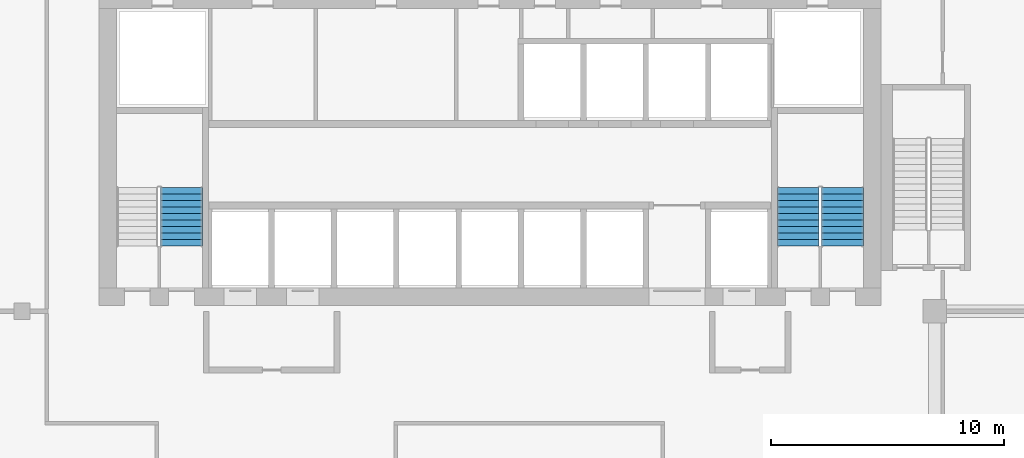
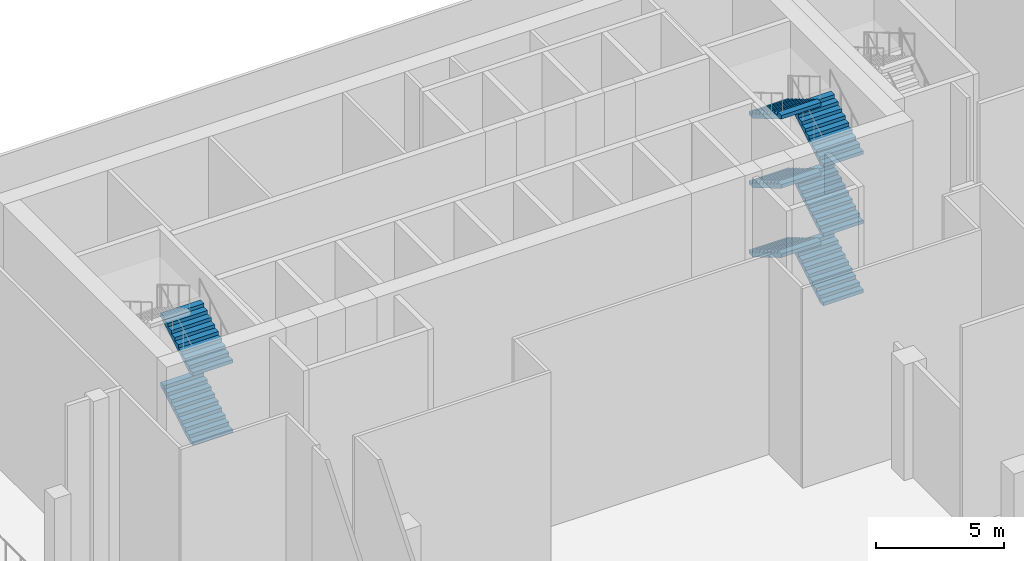
# One storey, part 8 of 12: 8 stair flights, 2 elements without a shape of their own.
"""IFC4 building model written with IfcOpenShell, lengths in metres."""

from ifc_helpers import new_model, si_unit, direction, frame, origin, place, context, subcontext, project, spatial, triangles, source, transform, mapped, material, type_object, element, aggregate, save


model = new_model("IFC4")

# Units and contexts
model_context = context("Model", 3, precision=1e-05, world=origin(), true_north=direction((0.0, 1.0)))
body_context = subcontext(model_context, "Body", "Model", "MODEL_VIEW")
ifc_project = project(units=[si_unit("LENGTHUNIT", "METRE"), si_unit("AREAUNIT", "SQUARE_METRE"), si_unit("VOLUMEUNIT", "CUBIC_METRE"), si_unit("PLANEANGLEUNIT", "RADIAN"), si_unit("MASSUNIT", "GRAM", prefix="KILO")], contexts=[model_context])

# Site, building, storey
site_placement = place(None, origin())
site = spatial("IfcSite", under=ifc_project, at=site_placement, CompositionType="ELEMENT")
building_placement = place(site_placement, origin())
building = spatial("IfcBuilding", under=site, at=building_placement, Name="Kilnfold Tower and Market Hall", CompositionType="ELEMENT")
storey_placement = place(building_placement, frame((0.0, 0.0, 223.699951171875)))
storey = spatial("IfcBuildingStorey", under=building, at=storey_placement, Name="L55 Refuge Wind Floor", CompositionType="ELEMENT", Elevation=223.699951171875)

# Stair, stair flights
ifc_material_1 = material(Name="Concrete C40/50", Category="concrete")
stair_type = type_object("IfcStairType", Name="CORE STAIR 1800", PredefinedType="HALF_TURN_STAIR", material=ifc_material_1)
stair_1_placement = place(storey_placement, origin())
stair_1 = element("IfcStair", 1, at=stair_1_placement, inside=storey, type_object=stair_type, Name="L55 Refuge Wind Floor ST1", PredefinedType="HALF_TURN_STAIR")
ifc_material_2 = material(Name="Concrete C40/50", Category="concrete")
stair_flight_type = type_object("IfcStairFlightType", Name="CORE STAIR FLIGHT 1800", PredefinedType="STRAIGHT", material=ifc_material_2)
shared_shape = source(origin(), body_context, "Body", "Tessellation", [
    triangles([(0.0, 0.89990234375, 0.0), (0.0, 0.78759765625, 0.0), (0.0, 0.675048828125, 0.0), (0.0, 0.5625, 0.0), (0.0, 0.449951171875, 0.0), (0.0, 0.33740234375, 0.0), (0.0, 0.22509765625, 0.0), (0.0, 0.112548828125, 0.0), (0.0, 0.0, 0.0), (0.0, -0.112548828125, 0.0), (0.0, -0.22509765625, 0.0), (0.0, -0.33740234375, 0.0), (0.0, -0.449951171875, 0.0), (0.0, -0.5625, 0.0), (0.0, -0.675048828125, 0.0), (0.0, -0.78759765625, 0.0), (0.0, -0.89990234375, 0.0), (0.0, 0.89990234375, 0.1650390625), (0.0, 0.78759765625, 0.1650390625), (0.0, 0.675048828125, 0.1650390625), (0.0, 0.5625, 0.1650390625), (0.0, 0.449951171875, 0.1650390625), (0.0, 0.33740234375, 0.1650390625), (0.0, 0.22509765625, 0.1650390625), (0.0, 0.112548828125, 0.1650390625), (0.0, 0.0, 0.1650390625), (0.0, -0.112548828125, 0.1650390625), (0.0, -0.22509765625, 0.1650390625), (0.0, -0.33740234375, 0.1650390625), (0.0, -0.449951171875, 0.1650390625), (0.0, -0.5625, 0.1650390625), (0.0, -0.675048828125, 0.1650390625), (0.0, -0.78759765625, 0.1650390625), (0.0, -0.89990234375, 0.1650390625), (0.280029296875, 0.89990234375, 0.1650390625), (0.280029296875, 0.78759765625, 0.1650390625), (0.280029296875, 0.675048828125, 0.1650390625), (0.280029296875, 0.5625, 0.1650390625), (0.280029296875, 0.449951171875, 0.1650390625), (0.280029296875, 0.33740234375, 0.1650390625), (0.280029296875, 0.22509765625, 0.1650390625), (0.280029296875, 0.112548828125, 0.1650390625), (0.280029296875, 0.0, 0.1650390625), (0.280029296875, -0.112548828125, 0.1650390625), (0.280029296875, -0.22509765625, 0.1650390625), (0.280029296875, -0.33740234375, 0.1650390625), (0.280029296875, -0.449951171875, 0.1650390625), (0.280029296875, -0.5625, 0.1650390625), (0.280029296875, -0.675048828125, 0.1650390625), (0.280029296875, -0.78759765625, 0.1650390625), (0.280029296875, -0.89990234375, 0.1650390625), (0.280029296875, 0.89990234375, 0.330078125), (0.280029296875, 0.78759765625, 0.330078125), (0.280029296875, 0.675048828125, 0.330078125), (0.280029296875, 0.5625, 0.330078125), (0.280029296875, 0.449951171875, 0.330078125), (0.280029296875, 0.33740234375, 0.330078125), (0.280029296875, 0.22509765625, 0.330078125), (0.280029296875, 0.112548828125, 0.330078125), (0.280029296875, 0.0, 0.330078125), (0.280029296875, -0.112548828125, 0.330078125), (0.280029296875, -0.22509765625, 0.330078125), (0.280029296875, -0.33740234375, 0.330078125), (0.280029296875, -0.449951171875, 0.330078125), (0.280029296875, -0.5625, 0.330078125), (0.280029296875, -0.675048828125, 0.330078125), (0.280029296875, -0.78759765625, 0.330078125), (0.280029296875, -0.89990234375, 0.330078125), (0.56005859375, 0.89990234375, 0.330078125), (0.56005859375, 0.78759765625, 0.330078125), (0.56005859375, 0.675048828125, 0.330078125), (0.56005859375, 0.5625, 0.330078125), (0.56005859375, 0.449951171875, 0.330078125), (0.56005859375, 0.33740234375, 0.330078125), (0.56005859375, 0.22509765625, 0.330078125), (0.56005859375, 0.112548828125, 0.330078125), (0.56005859375, 0.0, 0.330078125), (0.56005859375, -0.112548828125, 0.330078125), (0.56005859375, -0.22509765625, 0.330078125), (0.56005859375, -0.33740234375, 0.330078125), (0.56005859375, -0.449951171875, 0.330078125), (0.56005859375, -0.5625, 0.330078125), (0.56005859375, -0.675048828125, 0.330078125), (0.56005859375, -0.78759765625, 0.330078125), (0.56005859375, -0.89990234375, 0.330078125), (0.56005859375, 0.89990234375, 0.4951171875), (0.56005859375, 0.78759765625, 0.4951171875), (0.56005859375, 0.675048828125, 0.4951171875), (0.56005859375, 0.5625, 0.4951171875), (0.56005859375, 0.449951171875, 0.4951171875), (0.56005859375, 0.33740234375, 0.4951171875), (0.56005859375, 0.22509765625, 0.4951171875), (0.56005859375, 0.112548828125, 0.4951171875), (0.56005859375, 0.0, 0.4951171875), (0.56005859375, -0.112548828125, 0.4951171875), (0.56005859375, -0.22509765625, 0.4951171875), (0.56005859375, -0.33740234375, 0.4951171875), (0.56005859375, -0.449951171875, 0.4951171875), (0.56005859375, -0.5625, 0.4951171875), (0.56005859375, -0.675048828125, 0.4951171875), (0.56005859375, -0.78759765625, 0.4951171875), (0.56005859375, -0.89990234375, 0.4951171875), (0.840087890625, 0.89990234375, 0.4951171875), (0.840087890625, 0.78759765625, 0.4951171875), (0.840087890625, 0.675048828125, 0.4951171875), (0.840087890625, 0.5625, 0.4951171875), (0.840087890625, 0.449951171875, 0.4951171875), (0.840087890625, 0.33740234375, 0.4951171875), (0.840087890625, 0.22509765625, 0.4951171875), (0.840087890625, 0.112548828125, 0.4951171875), (0.840087890625, 0.0, 0.4951171875), (0.840087890625, -0.112548828125, 0.4951171875), (0.840087890625, -0.22509765625, 0.4951171875), (0.840087890625, -0.33740234375, 0.4951171875), (0.840087890625, -0.449951171875, 0.4951171875), (0.840087890625, -0.5625, 0.4951171875), (0.840087890625, -0.675048828125, 0.4951171875), (0.840087890625, -0.78759765625, 0.4951171875), (0.840087890625, -0.89990234375, 0.4951171875), (0.840087890625, 0.89990234375, 0.659912109375), (0.840087890625, 0.78759765625, 0.659912109375), (0.840087890625, 0.675048828125, 0.659912109375), (0.840087890625, 0.5625, 0.659912109375), (0.840087890625, 0.449951171875, 0.659912109375), (0.840087890625, 0.33740234375, 0.659912109375), (0.840087890625, 0.22509765625, 0.659912109375), (0.840087890625, 0.112548828125, 0.659912109375), (0.840087890625, 0.0, 0.659912109375), (0.840087890625, -0.112548828125, 0.659912109375), (0.840087890625, -0.22509765625, 0.659912109375), (0.840087890625, -0.33740234375, 0.659912109375), (0.840087890625, -0.449951171875, 0.659912109375), (0.840087890625, -0.5625, 0.659912109375), (0.840087890625, -0.675048828125, 0.659912109375), (0.840087890625, -0.78759765625, 0.659912109375), (0.840087890625, -0.89990234375, 0.659912109375), (1.1201171875, 0.89990234375, 0.659912109375), (1.1201171875, 0.78759765625, 0.659912109375), (1.1201171875, 0.675048828125, 0.659912109375), (1.1201171875, 0.5625, 0.659912109375), (1.1201171875, 0.449951171875, 0.659912109375), (1.1201171875, 0.33740234375, 0.659912109375), (1.1201171875, 0.22509765625, 0.659912109375), (1.1201171875, 0.112548828125, 0.659912109375), (1.1201171875, 0.0, 0.659912109375), (1.1201171875, -0.112548828125, 0.659912109375), (1.1201171875, -0.22509765625, 0.659912109375), (1.1201171875, -0.33740234375, 0.659912109375), (1.1201171875, -0.449951171875, 0.659912109375), (1.1201171875, -0.5625, 0.659912109375), (1.1201171875, -0.675048828125, 0.659912109375), (1.1201171875, -0.78759765625, 0.659912109375), (1.1201171875, -0.89990234375, 0.659912109375), (1.1201171875, 0.89990234375, 0.824951171875), (1.1201171875, 0.78759765625, 0.824951171875), (1.1201171875, 0.675048828125, 0.824951171875), (1.1201171875, 0.5625, 0.824951171875), (1.1201171875, 0.449951171875, 0.824951171875), (1.1201171875, 0.33740234375, 0.824951171875), (1.1201171875, 0.22509765625, 0.824951171875), (1.1201171875, 0.112548828125, 0.824951171875), (1.1201171875, 0.0, 0.824951171875), (1.1201171875, -0.112548828125, 0.824951171875), (1.1201171875, -0.22509765625, 0.824951171875), (1.1201171875, -0.33740234375, 0.824951171875), (1.1201171875, -0.449951171875, 0.824951171875), (1.1201171875, -0.5625, 0.824951171875), (1.1201171875, -0.675048828125, 0.824951171875), (1.1201171875, -0.78759765625, 0.824951171875), (1.1201171875, -0.89990234375, 0.824951171875), (1.39990234375, 0.89990234375, 0.824951171875), (1.39990234375, 0.78759765625, 0.824951171875), (1.39990234375, 0.675048828125, 0.824951171875), (1.39990234375, 0.5625, 0.824951171875), (1.39990234375, 0.449951171875, 0.824951171875), (1.39990234375, 0.33740234375, 0.824951171875), (1.39990234375, 0.22509765625, 0.824951171875), (1.39990234375, 0.112548828125, 0.824951171875), (1.39990234375, 0.0, 0.824951171875), (1.39990234375, -0.112548828125, 0.824951171875), (1.39990234375, -0.22509765625, 0.824951171875), (1.39990234375, -0.33740234375, 0.824951171875), (1.39990234375, -0.449951171875, 0.824951171875), (1.39990234375, -0.5625, 0.824951171875), (1.39990234375, -0.675048828125, 0.824951171875), (1.39990234375, -0.78759765625, 0.824951171875), (1.39990234375, -0.89990234375, 0.824951171875), (1.39990234375, 0.89990234375, 0.989990234375), (1.39990234375, 0.78759765625, 0.989990234375), (1.39990234375, 0.675048828125, 0.989990234375), (1.39990234375, 0.5625, 0.989990234375), (1.39990234375, 0.449951171875, 0.989990234375), (1.39990234375, 0.33740234375, 0.989990234375), (1.39990234375, 0.22509765625, 0.989990234375), (1.39990234375, 0.112548828125, 0.989990234375), (1.39990234375, 0.0, 0.989990234375), (1.39990234375, -0.112548828125, 0.989990234375), (1.39990234375, -0.22509765625, 0.989990234375), (1.39990234375, -0.33740234375, 0.989990234375), (1.39990234375, -0.449951171875, 0.989990234375), (1.39990234375, -0.5625, 0.989990234375), (1.39990234375, -0.675048828125, 0.989990234375), (1.39990234375, -0.78759765625, 0.989990234375), (1.39990234375, -0.89990234375, 0.989990234375), (1.679931640625, 0.89990234375, 0.989990234375), (1.679931640625, 0.78759765625, 0.989990234375), (1.679931640625, 0.675048828125, 0.989990234375), (1.679931640625, 0.5625, 0.989990234375), (1.679931640625, 0.449951171875, 0.989990234375), (1.679931640625, 0.33740234375, 0.989990234375), (1.679931640625, 0.22509765625, 0.989990234375), (1.679931640625, 0.112548828125, 0.989990234375), (1.679931640625, 0.0, 0.989990234375), (1.679931640625, -0.112548828125, 0.989990234375), (1.679931640625, -0.22509765625, 0.989990234375), (1.679931640625, -0.33740234375, 0.989990234375), (1.679931640625, -0.449951171875, 0.989990234375), (1.679931640625, -0.5625, 0.989990234375), (1.679931640625, -0.675048828125, 0.989990234375), (1.679931640625, -0.78759765625, 0.989990234375), (1.679931640625, -0.89990234375, 0.989990234375), (1.679931640625, 0.89990234375, 1.155029296875), (1.679931640625, 0.78759765625, 1.155029296875), (1.679931640625, 0.675048828125, 1.155029296875), (1.679931640625, 0.5625, 1.155029296875), (1.679931640625, 0.449951171875, 1.155029296875), (1.679931640625, 0.33740234375, 1.155029296875), (1.679931640625, 0.22509765625, 1.155029296875), (1.679931640625, 0.112548828125, 1.155029296875), (1.679931640625, 0.0, 1.155029296875), (1.679931640625, -0.112548828125, 1.155029296875), (1.679931640625, -0.22509765625, 1.155029296875), (1.679931640625, -0.33740234375, 1.155029296875), (1.679931640625, -0.449951171875, 1.155029296875), (1.679931640625, -0.5625, 1.155029296875), (1.679931640625, -0.675048828125, 1.155029296875), (1.679931640625, -0.78759765625, 1.155029296875), (1.679931640625, -0.89990234375, 1.155029296875), (1.9599609375, 0.89990234375, 1.155029296875), (1.9599609375, 0.78759765625, 1.155029296875), (1.9599609375, 0.675048828125, 1.155029296875), (1.9599609375, 0.5625, 1.155029296875), (1.9599609375, 0.449951171875, 1.155029296875), (1.9599609375, 0.33740234375, 1.155029296875), (1.9599609375, 0.22509765625, 1.155029296875), (1.9599609375, 0.112548828125, 1.155029296875), (1.9599609375, 0.0, 1.155029296875), (1.9599609375, -0.112548828125, 1.155029296875), (1.9599609375, -0.22509765625, 1.155029296875), (1.9599609375, -0.33740234375, 1.155029296875), (1.9599609375, -0.449951171875, 1.155029296875), (1.9599609375, -0.5625, 1.155029296875), (1.9599609375, -0.675048828125, 1.155029296875), (1.9599609375, -0.78759765625, 1.155029296875), (1.9599609375, -0.89990234375, 1.155029296875), (1.9599609375, 0.89990234375, 1.320068359375), (1.9599609375, 0.78759765625, 1.320068359375), (1.9599609375, 0.675048828125, 1.320068359375), (1.9599609375, 0.5625, 1.320068359375), (1.9599609375, 0.449951171875, 1.320068359375), (1.9599609375, 0.33740234375, 1.320068359375), (1.9599609375, 0.22509765625, 1.320068359375), (1.9599609375, 0.112548828125, 1.320068359375), (1.9599609375, 0.0, 1.320068359375), (1.9599609375, -0.112548828125, 1.320068359375), (1.9599609375, -0.22509765625, 1.320068359375), (1.9599609375, -0.33740234375, 1.320068359375), (1.9599609375, -0.449951171875, 1.320068359375), (1.9599609375, -0.5625, 1.320068359375), (1.9599609375, -0.675048828125, 1.320068359375), (1.9599609375, -0.78759765625, 1.320068359375), (1.9599609375, -0.89990234375, 1.320068359375), (2.239990234375, 0.89990234375, 1.320068359375), (2.239990234375, 0.78759765625, 1.320068359375), (2.239990234375, 0.675048828125, 1.320068359375), (2.239990234375, 0.5625, 1.320068359375), (2.239990234375, 0.449951171875, 1.320068359375), (2.239990234375, 0.33740234375, 1.320068359375), (2.239990234375, 0.22509765625, 1.320068359375), (2.239990234375, 0.112548828125, 1.320068359375), (2.239990234375, 0.0, 1.320068359375), (2.239990234375, -0.112548828125, 1.320068359375), (2.239990234375, -0.22509765625, 1.320068359375), (2.239990234375, -0.33740234375, 1.320068359375), (2.239990234375, -0.449951171875, 1.320068359375), (2.239990234375, -0.5625, 1.320068359375), (2.239990234375, -0.675048828125, 1.320068359375), (2.239990234375, -0.78759765625, 1.320068359375), (2.239990234375, -0.89990234375, 1.320068359375), (2.239990234375, 0.89990234375, 1.485107421875), (2.239990234375, 0.78759765625, 1.485107421875), (2.239990234375, 0.675048828125, 1.485107421875), (2.239990234375, 0.5625, 1.485107421875), (2.239990234375, 0.449951171875, 1.485107421875), (2.239990234375, 0.33740234375, 1.485107421875), (2.239990234375, 0.22509765625, 1.485107421875), (2.239990234375, 0.112548828125, 1.485107421875), (2.239990234375, 0.0, 1.485107421875), (2.239990234375, -0.112548828125, 1.485107421875), (2.239990234375, -0.22509765625, 1.485107421875), (2.239990234375, -0.33740234375, 1.485107421875), (2.239990234375, -0.449951171875, 1.485107421875), (2.239990234375, -0.5625, 1.485107421875), (2.239990234375, -0.675048828125, 1.485107421875), (2.239990234375, -0.78759765625, 1.485107421875), (2.239990234375, -0.89990234375, 1.485107421875), (2.52001953125, 0.89990234375, 1.485107421875), (2.52001953125, 0.78759765625, 1.485107421875), (2.52001953125, 0.675048828125, 1.485107421875), (2.52001953125, 0.5625, 1.485107421875), (2.52001953125, 0.449951171875, 1.485107421875), (2.52001953125, 0.33740234375, 1.485107421875), (2.52001953125, 0.22509765625, 1.485107421875), (2.52001953125, 0.112548828125, 1.485107421875), (2.52001953125, 0.0, 1.485107421875), (2.52001953125, -0.112548828125, 1.485107421875), (2.52001953125, -0.22509765625, 1.485107421875), (2.52001953125, -0.33740234375, 1.485107421875), (2.52001953125, -0.449951171875, 1.485107421875), (2.52001953125, -0.5625, 1.485107421875), (2.52001953125, -0.675048828125, 1.485107421875), (2.52001953125, -0.78759765625, 1.485107421875), (2.52001953125, -0.89990234375, 1.485107421875), (2.52001953125, 0.89990234375, 1.31103515625), (2.52001953125, 0.78759765625, 1.31103515625), (2.52001953125, 0.675048828125, 1.31103515625), (2.52001953125, 0.5625, 1.31103515625), (2.52001953125, 0.449951171875, 1.31103515625), (2.52001953125, 0.33740234375, 1.31103515625), (2.52001953125, 0.22509765625, 1.31103515625), (2.52001953125, 0.112548828125, 1.31103515625), (2.52001953125, 0.0, 1.31103515625), (2.52001953125, -0.112548828125, 1.31103515625), (2.52001953125, -0.22509765625, 1.31103515625), (2.52001953125, -0.33740234375, 1.31103515625), (2.52001953125, -0.449951171875, 1.31103515625), (2.52001953125, -0.5625, 1.31103515625), (2.52001953125, -0.675048828125, 1.31103515625), (2.52001953125, -0.78759765625, 1.31103515625), (2.52001953125, -0.89990234375, 1.31103515625), (0.295166015625, 0.89990234375, 0.0), (0.295166015625, 0.78759765625, 0.0), (0.295166015625, 0.675048828125, 0.0), (0.295166015625, 0.5625, 0.0), (0.295166015625, 0.449951171875, 0.0), (0.295166015625, 0.33740234375, 0.0), (0.295166015625, 0.22509765625, 0.0), (0.295166015625, 0.112548828125, 0.0), (0.295166015625, 0.0, 0.0), (0.295166015625, -0.112548828125, 0.0), (0.295166015625, -0.22509765625, 0.0), (0.295166015625, -0.33740234375, 0.0), (0.295166015625, -0.449951171875, 0.0), (0.295166015625, -0.5625, 0.0), (0.295166015625, -0.675048828125, 0.0), (0.295166015625, -0.78759765625, 0.0), (0.295166015625, -0.89990234375, 0.0)], [[1, 324, 341], [17, 357, 340], [324, 290, 307], [340, 323, 306], [324, 273, 290], [340, 306, 289], [324, 256, 273], [340, 289, 272], [324, 239, 256], [340, 272, 255], [239, 205, 222], [255, 238, 221], [324, 205, 239], [340, 255, 221], [205, 171, 188], [221, 204, 187], [324, 171, 205], [340, 221, 187], [171, 137, 154], [187, 170, 153], [324, 137, 171], [340, 187, 153], [1, 137, 324], [17, 340, 153], [137, 103, 120], [153, 136, 119], [103, 69, 86], [119, 102, 85], [137, 69, 103], [153, 119, 85], [69, 35, 52], [85, 68, 51], [137, 35, 69], [153, 85, 51], [1, 35, 137], [17, 153, 51], [35, 1, 18], [51, 34, 17], [1, 19, 18], [1, 2, 19], [2, 20, 19], [2, 3, 20], [3, 21, 20], [3, 4, 21], [4, 22, 21], [4, 5, 22], [5, 23, 22], [5, 6, 23], [6, 24, 23], [6, 7, 24], [7, 25, 24], [7, 8, 25], [8, 26, 25], [8, 9, 26], [9, 27, 26], [9, 10, 27], [10, 28, 27], [10, 11, 28], [11, 29, 28], [11, 12, 29], [12, 30, 29], [12, 13, 30], [13, 31, 30], [13, 14, 31], [14, 32, 31], [14, 15, 32], [15, 33, 32], [15, 16, 33], [16, 34, 33], [16, 17, 34], [18, 36, 35], [18, 19, 36], [19, 37, 36], [19, 20, 37], [20, 38, 37], [20, 21, 38], [21, 39, 38], [21, 22, 39], [22, 40, 39], [22, 23, 40], [23, 41, 40], [23, 24, 41], [24, 42, 41], [24, 25, 42], [25, 43, 42], [25, 26, 43], [26, 44, 43], [26, 27, 44], [27, 45, 44], [27, 28, 45], [28, 46, 45], [28, 29, 46], [29, 47, 46], [29, 30, 47], [30, 48, 47], [30, 31, 48], [31, 49, 48], [31, 32, 49], [32, 50, 49], [32, 33, 50], [33, 51, 50], [33, 34, 51], [35, 53, 52], [35, 36, 53], [36, 54, 53], [36, 37, 54], [37, 55, 54], [37, 38, 55], [38, 56, 55], [38, 39, 56], [39, 57, 56], [39, 40, 57], [40, 58, 57], [40, 41, 58], [41, 59, 58], [41, 42, 59], [42, 60, 59], [42, 43, 60], [43, 61, 60], [43, 44, 61], [44, 62, 61], [44, 45, 62], [45, 63, 62], [45, 46, 63], [46, 64, 63], [46, 47, 64], [47, 65, 64], [47, 48, 65], [48, 66, 65], [48, 49, 66], [49, 67, 66], [49, 50, 67], [50, 68, 67], [50, 51, 68], [52, 70, 69], [52, 53, 70], [53, 71, 70], [53, 54, 71], [54, 72, 71], [54, 55, 72], [55, 73, 72], [55, 56, 73], [56, 74, 73], [56, 57, 74], [57, 75, 74], [57, 58, 75], [58, 76, 75], [58, 59, 76], [59, 77, 76], [59, 60, 77], [60, 78, 77], [60, 61, 78], [61, 79, 78], [61, 62, 79], [62, 80, 79], [62, 63, 80], [63, 81, 80], [63, 64, 81], [64, 82, 81], [64, 65, 82], [65, 83, 82], [65, 66, 83], [66, 84, 83], [66, 67, 84], [67, 85, 84], [67, 68, 85], [69, 87, 86], [69, 70, 87], [70, 88, 87], [70, 71, 88], [71, 89, 88], [71, 72, 89], [72, 90, 89], [72, 73, 90], [73, 91, 90], [73, 74, 91], [74, 92, 91], [74, 75, 92], [75, 93, 92], [75, 76, 93], [76, 94, 93], [76, 77, 94], [77, 95, 94], [77, 78, 95], [78, 96, 95], [78, 79, 96], [79, 97, 96], [79, 80, 97], [80, 98, 97], [80, 81, 98], [81, 99, 98], [81, 82, 99], [82, 100, 99], [82, 83, 100], [83, 101, 100], [83, 84, 101], [84, 102, 101], [84, 85, 102], [86, 104, 103], [86, 87, 104], [87, 105, 104], [87, 88, 105], [88, 106, 105], [88, 89, 106], [89, 107, 106], [89, 90, 107], [90, 108, 107], [90, 91, 108], [91, 109, 108], [91, 92, 109], [92, 110, 109], [92, 93, 110], [93, 111, 110], [93, 94, 111], [94, 112, 111], [94, 95, 112], [95, 113, 112], [95, 96, 113], [96, 114, 113], [96, 97, 114], [97, 115, 114], [97, 98, 115], [98, 116, 115], [98, 99, 116], [99, 117, 116], [99, 100, 117], [100, 118, 117], [100, 101, 118], [101, 119, 118], [101, 102, 119], [103, 121, 120], [103, 104, 121], [104, 122, 121], [104, 105, 122], [105, 123, 122], [105, 106, 123], [106, 124, 123], [106, 107, 124], [107, 125, 124], [107, 108, 125], [108, 126, 125], [108, 109, 126], [109, 127, 126], [109, 110, 127], [110, 128, 127], [110, 111, 128], [111, 129, 128], [111, 112, 129], [112, 130, 129], [112, 113, 130], [113, 131, 130], [113, 114, 131], [114, 132, 131], [114, 115, 132], [115, 133, 132], [115, 116, 133], [116, 134, 133], [116, 117, 134], [117, 135, 134], [117, 118, 135], [118, 136, 135], [118, 119, 136], [120, 138, 137], [120, 121, 138], [121, 139, 138], [121, 122, 139], [122, 140, 139], [122, 123, 140], [123, 141, 140], [123, 124, 141], [124, 142, 141], [124, 125, 142], [125, 143, 142], [125, 126, 143], [126, 144, 143], [126, 127, 144], [127, 145, 144], [127, 128, 145], [128, 146, 145], [128, 129, 146], [129, 147, 146], [129, 130, 147], [130, 148, 147], [130, 131, 148], [131, 149, 148], [131, 132, 149], [132, 150, 149], [132, 133, 150], [133, 151, 150], [133, 134, 151], [134, 152, 151], [134, 135, 152], [135, 153, 152], [135, 136, 153], [137, 155, 154], [137, 138, 155], [138, 156, 155], [138, 139, 156], [139, 157, 156], [139, 140, 157], [140, 158, 157], [140, 141, 158], [141, 159, 158], [141, 142, 159], [142, 160, 159], [142, 143, 160], [143, 161, 160], [143, 144, 161], [144, 162, 161], [144, 145, 162], [145, 163, 162], [145, 146, 163], [146, 164, 163], [146, 147, 164], [147, 165, 164], [147, 148, 165], [148, 166, 165], [148, 149, 166], [149, 167, 166], [149, 150, 167], [150, 168, 167], [150, 151, 168], [151, 169, 168], [151, 152, 169], [152, 170, 169], [152, 153, 170], [154, 172, 171], [154, 155, 172], [155, 173, 172], [155, 156, 173], [156, 174, 173], [156, 157, 174], [157, 175, 174], [157, 158, 175], [158, 176, 175], [158, 159, 176], [159, 177, 176], [159, 160, 177], [160, 178, 177], [160, 161, 178], [161, 179, 178], [161, 162, 179], [162, 180, 179], [162, 163, 180], [163, 181, 180], [163, 164, 181], [164, 182, 181], [164, 165, 182], [165, 183, 182], [165, 166, 183], [166, 184, 183], [166, 167, 184], [167, 185, 184], [167, 168, 185], [168, 186, 185], [168, 169, 186], [169, 187, 186], [169, 170, 187], [171, 189, 188], [171, 172, 189], [172, 190, 189], [172, 173, 190], [173, 191, 190], [173, 174, 191], [174, 192, 191], [174, 175, 192], [175, 193, 192], [175, 176, 193], [176, 194, 193], [176, 177, 194], [177, 195, 194], [177, 178, 195], [178, 196, 195], [178, 179, 196], [179, 197, 196], [179, 180, 197], [180, 198, 197], [180, 181, 198], [181, 199, 198], [181, 182, 199], [182, 200, 199], [182, 183, 200], [183, 201, 200], [183, 184, 201], [184, 202, 201], [184, 185, 202], [185, 203, 202], [185, 186, 203], [186, 204, 203], [186, 187, 204], [188, 206, 205], [188, 189, 206], [189, 207, 206], [189, 190, 207], [190, 208, 207], [190, 191, 208], [191, 209, 208], [191, 192, 209], [192, 210, 209], [192, 193, 210], [193, 211, 210], [193, 194, 211], [194, 212, 211], [194, 195, 212], [195, 213, 212], [195, 196, 213], [196, 214, 213], [196, 197, 214], [197, 215, 214], [197, 198, 215], [198, 216, 215], [198, 199, 216], [199, 217, 216], [199, 200, 217], [200, 218, 217], [200, 201, 218], [201, 219, 218], [201, 202, 219], [202, 220, 219], [202, 203, 220], [203, 221, 220], [203, 204, 221], [205, 223, 222], [205, 206, 223], [206, 224, 223], [206, 207, 224], [207, 225, 224], [207, 208, 225], [208, 226, 225], [208, 209, 226], [209, 227, 226], [209, 210, 227], [210, 228, 227], [210, 211, 228], [211, 229, 228], [211, 212, 229], [212, 230, 229], [212, 213, 230], [213, 231, 230], [213, 214, 231], [214, 232, 231], [214, 215, 232], [215, 233, 232], [215, 216, 233], [216, 234, 233], [216, 217, 234], [217, 235, 234], [217, 218, 235], [218, 236, 235], [218, 219, 236], [219, 237, 236], [219, 220, 237], [220, 238, 237], [220, 221, 238], [222, 240, 239], [222, 223, 240], [223, 241, 240], [223, 224, 241], [224, 242, 241], [224, 225, 242], [225, 243, 242], [225, 226, 243], [226, 244, 243], [226, 227, 244], [227, 245, 244], [227, 228, 245], [228, 246, 245], [228, 229, 246], [229, 247, 246], [229, 230, 247], [230, 248, 247], [230, 231, 248], [231, 249, 248], [231, 232, 249], [232, 250, 249], [232, 233, 250], [233, 251, 250], [233, 234, 251], [234, 252, 251], [234, 235, 252], [235, 253, 252], [235, 236, 253], [236, 254, 253], [236, 237, 254], [237, 255, 254], [237, 238, 255], [239, 257, 256], [239, 240, 257], [240, 258, 257], [240, 241, 258], [241, 259, 258], [241, 242, 259], [242, 260, 259], [242, 243, 260], [243, 261, 260], [243, 244, 261], [244, 262, 261], [244, 245, 262], [245, 263, 262], [245, 246, 263], [246, 264, 263], [246, 247, 264], [247, 265, 264], [247, 248, 265], [248, 266, 265], [248, 249, 266], [249, 267, 266], [249, 250, 267], [250, 268, 267], [250, 251, 268], [251, 269, 268], [251, 252, 269], [252, 270, 269], [252, 253, 270], [253, 271, 270], [253, 254, 271], [254, 272, 271], [254, 255, 272], [256, 274, 273], [256, 257, 274], [257, 275, 274], [257, 258, 275], [258, 276, 275], [258, 259, 276], [259, 277, 276], [259, 260, 277], [260, 278, 277], [260, 261, 278], [261, 279, 278], [261, 262, 279], [262, 280, 279], [262, 263, 280], [263, 281, 280], [263, 264, 281], [264, 282, 281], [264, 265, 282], [265, 283, 282], [265, 266, 283], [266, 284, 283], [266, 267, 284], [267, 285, 284], [267, 268, 285], [268, 286, 285], [268, 269, 286], [269, 287, 286], [269, 270, 287], [270, 288, 287], [270, 271, 288], [271, 289, 288], [271, 272, 289], [273, 291, 290], [273, 274, 291], [274, 292, 291], [274, 275, 292], [275, 293, 292], [275, 276, 293], [276, 294, 293], [276, 277, 294], [277, 295, 294], [277, 278, 295], [278, 296, 295], [278, 279, 296], [279, 297, 296], [279, 280, 297], [280, 298, 297], [280, 281, 298], [281, 299, 298], [281, 282, 299], [282, 300, 299], [282, 283, 300], [283, 301, 300], [283, 284, 301], [284, 302, 301], [284, 285, 302], [285, 303, 302], [285, 286, 303], [286, 304, 303], [286, 287, 304], [287, 305, 304], [287, 288, 305], [288, 306, 305], [288, 289, 306], [290, 308, 307], [290, 291, 308], [291, 309, 308], [291, 292, 309], [292, 310, 309], [292, 293, 310], [293, 311, 310], [293, 294, 311], [294, 312, 311], [294, 295, 312], [295, 313, 312], [295, 296, 313], [296, 314, 313], [296, 297, 314], [297, 315, 314], [297, 298, 315], [298, 316, 315], [298, 299, 316], [299, 317, 316], [299, 300, 317], [300, 318, 317], [300, 301, 318], [301, 319, 318], [301, 302, 319], [302, 320, 319], [302, 303, 320], [303, 321, 320], [303, 304, 321], [304, 322, 321], [304, 305, 322], [305, 323, 322], [305, 306, 323], [307, 325, 324], [307, 308, 325], [308, 326, 325], [308, 309, 326], [309, 327, 326], [309, 310, 327], [310, 328, 327], [310, 311, 328], [311, 329, 328], [311, 312, 329], [312, 330, 329], [312, 313, 330], [313, 331, 330], [313, 314, 331], [314, 332, 331], [314, 315, 332], [315, 333, 332], [315, 316, 333], [316, 334, 333], [316, 317, 334], [317, 335, 334], [317, 318, 335], [318, 336, 335], [318, 319, 336], [319, 337, 336], [319, 320, 337], [320, 338, 337], [320, 321, 338], [321, 339, 338], [321, 322, 339], [322, 340, 339], [322, 323, 340], [324, 342, 341], [324, 325, 342], [325, 343, 342], [325, 326, 343], [326, 344, 343], [326, 327, 344], [327, 345, 344], [327, 328, 345], [328, 346, 345], [328, 329, 346], [329, 347, 346], [329, 330, 347], [330, 348, 347], [330, 331, 348], [331, 349, 348], [331, 332, 349], [332, 350, 349], [332, 333, 350], [333, 351, 350], [333, 334, 351], [334, 352, 351], [334, 335, 352], [335, 353, 352], [335, 336, 353], [336, 354, 353], [336, 337, 354], [337, 355, 354], [337, 338, 355], [338, 356, 355], [338, 339, 356], [339, 357, 356], [339, 340, 357], [341, 2, 1], [341, 342, 2], [342, 3, 2], [342, 343, 3], [343, 4, 3], [343, 344, 4], [344, 5, 4], [344, 345, 5], [345, 6, 5], [345, 346, 6], [346, 7, 6], [346, 347, 7], [347, 8, 7], [347, 348, 8], [348, 9, 8], [348, 349, 9], [349, 10, 9], [349, 350, 10], [350, 11, 10], [350, 351, 11], [351, 12, 11], [351, 352, 12], [352, 13, 12], [352, 353, 13], [353, 14, 13], [353, 354, 14], [354, 15, 14], [354, 355, 15], [355, 16, 15], [355, 356, 16], [356, 17, 16], [356, 357, 17]], closed=True),
])
stair_flight_1_placement = place(storey_placement, frame((-12.199951171875, 10.800048828125, 3.300048828125), z_axis=(0.0, 0.0, 1.0), x_axis=(0.0, 1.0, 0.0)))
stair_flight_1 = element("IfcStairFlight", 2, at=stair_flight_1_placement, type_object=stair_flight_type, Name="ST1 flight 3", NumberOfRisers=10, NumberOfTreads=9, PredefinedType="STRAIGHT", RiserHeight=0.165, TreadLength=0.28, context=body_context, shape_type="MappedRepresentation", body=[
    mapped(shared_shape, transform((0.0, 0.0, 0.0))),
])
stair_flight_2_placement = place(storey_placement, frame((-12.199951171875, 10.800048828125, 6.60009765625), z_axis=(0.0, 0.0, 1.0), x_axis=(0.0, 1.0, 0.0)))
stair_flight_2 = element("IfcStairFlight", 3, at=stair_flight_2_placement, type_object=stair_flight_type, Name="ST1 flight 5", NumberOfRisers=10, NumberOfTreads=9, PredefinedType="STRAIGHT", RiserHeight=0.165, TreadLength=0.28, context=body_context, shape_type="MappedRepresentation", body=[
    mapped(shared_shape, transform((0.0, 0.0, 0.0))),
])
aggregate(stair_1, [stair_flight_1, stair_flight_2])

stair_2_placement = place(storey_placement, origin())
stair_2 = element("IfcStair", 4, at=stair_2_placement, inside=storey, type_object=stair_type, Name="L55 Refuge Wind Floor ST2", PredefinedType="HALF_TURN_STAIR")
stair_flight_3_placement = place(storey_placement, frame((16.199951171875, 10.800048828125, 0.0), z_axis=(0.0, 0.0, 1.0), x_axis=(0.0, 1.0, 0.0)))
stair_flight_3 = element("IfcStairFlight", 5, at=stair_flight_3_placement, type_object=stair_flight_type, Name="ST2 flight 1", NumberOfRisers=10, NumberOfTreads=9, PredefinedType="STRAIGHT", RiserHeight=0.165, TreadLength=0.28, context=body_context, shape_type="MappedRepresentation", body=[
    mapped(shared_shape, transform((0.0, 0.0, 0.0))),
])
stair_flight_4_placement = place(storey_placement, frame((14.300048828125, 13.320068359375, 1.650146484375), z_axis=(0.0, 0.0, 1.0), x_axis=(0.0, -1.0, 0.0)))
stair_flight_4 = element("IfcStairFlight", 6, at=stair_flight_4_placement, type_object=stair_flight_type, Name="ST2 flight 2", NumberOfRisers=10, NumberOfTreads=9, PredefinedType="STRAIGHT", RiserHeight=0.165, TreadLength=0.28, context=body_context, shape_type="MappedRepresentation", body=[
    mapped(shared_shape, transform((0.0, 0.0, 0.0))),
])
stair_flight_5_placement = place(storey_placement, frame((16.199951171875, 10.800048828125, 3.300048828125), z_axis=(0.0, 0.0, 1.0), x_axis=(0.0, 1.0, 0.0)))
stair_flight_5 = element("IfcStairFlight", 7, at=stair_flight_5_placement, type_object=stair_flight_type, Name="ST2 flight 3", NumberOfRisers=10, NumberOfTreads=9, PredefinedType="STRAIGHT", RiserHeight=0.165, TreadLength=0.28, context=body_context, shape_type="MappedRepresentation", body=[
    mapped(shared_shape, transform((0.0, 0.0, 0.0))),
])
stair_flight_6_placement = place(storey_placement, frame((14.300048828125, 13.320068359375, 4.949951171875), z_axis=(0.0, 0.0, 1.0), x_axis=(0.0, -1.0, 0.0)))
stair_flight_6 = element("IfcStairFlight", 8, at=stair_flight_6_placement, type_object=stair_flight_type, Name="ST2 flight 4", NumberOfRisers=10, NumberOfTreads=9, PredefinedType="STRAIGHT", RiserHeight=0.165, TreadLength=0.28, context=body_context, shape_type="MappedRepresentation", body=[
    mapped(shared_shape, transform((0.0, 0.0, 0.0))),
])
stair_flight_7_placement = place(storey_placement, frame((16.199951171875, 10.800048828125, 6.60009765625), z_axis=(0.0, 0.0, 1.0), x_axis=(0.0, 1.0, 0.0)))
stair_flight_7 = element("IfcStairFlight", 9, at=stair_flight_7_placement, type_object=stair_flight_type, Name="ST2 flight 5", NumberOfRisers=10, NumberOfTreads=9, PredefinedType="STRAIGHT", RiserHeight=0.165, TreadLength=0.28, context=body_context, shape_type="MappedRepresentation", body=[
    mapped(shared_shape, transform((0.0, 0.0, 0.0))),
])
stair_flight_8_placement = place(storey_placement, frame((14.300048828125, 13.320068359375, 8.25), z_axis=(0.0, 0.0, 1.0), x_axis=(0.0, -1.0, 0.0)))
stair_flight_8 = element("IfcStairFlight", 10, at=stair_flight_8_placement, type_object=stair_flight_type, Name="ST2 flight 6", NumberOfRisers=10, NumberOfTreads=9, PredefinedType="STRAIGHT", RiserHeight=0.165, TreadLength=0.28, context=body_context, shape_type="MappedRepresentation", body=[
    mapped(shared_shape, transform((0.0, 0.0, 0.0))),
])
aggregate(stair_2, [stair_flight_3, stair_flight_4, stair_flight_5, stair_flight_6, stair_flight_7, stair_flight_8])

save(model, "model.ifc")
